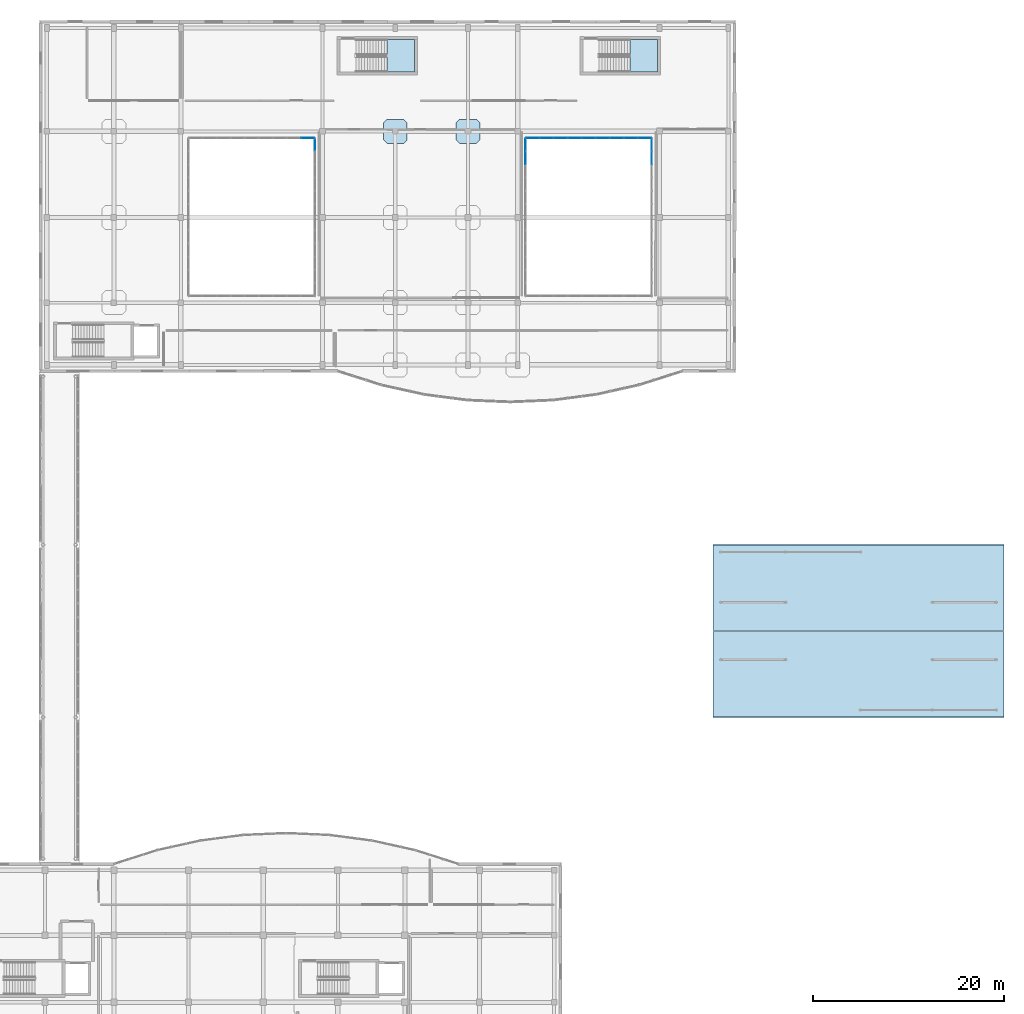
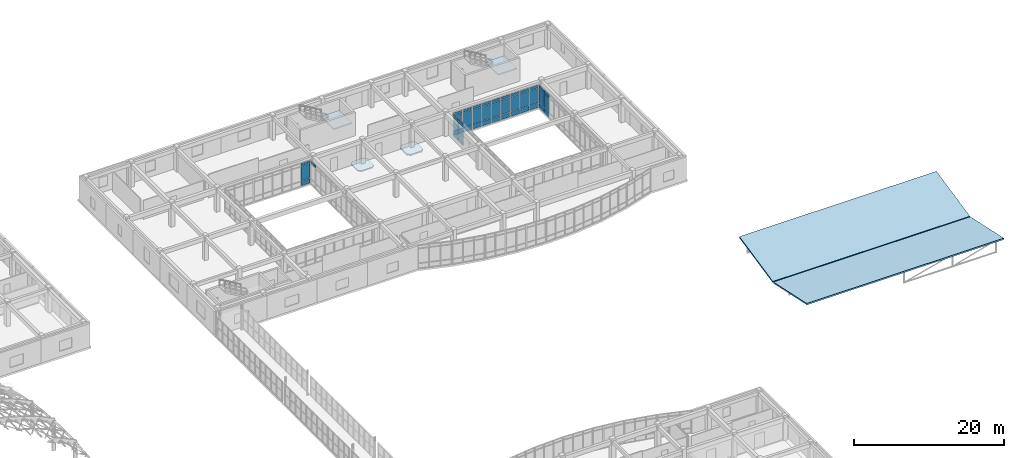
# One storey, part 121 of 146: 43 plates, 6 slabs, 9 elements without a shape of their own.
"""IFC4 building model written with IfcOpenShell, lengths in metres."""

from ifc_helpers import new_model, si_unit, direction, frame, origin, origin_2d, place, context, subcontext, project, spatial, polyline, rectangle, outline, extrude, material, layer, layer_set, type_object, element, aggregate, save


model = new_model("IFC4")

# Units and contexts
model_context = context("Model", 3, precision=1e-05, world=origin(), true_north=direction((0.0, 1.0)))
body_context = subcontext(model_context, "Body", "Model", "MODEL_VIEW")
ifc_project = project(units=[si_unit("LENGTHUNIT", "METRE"), si_unit("AREAUNIT", "SQUARE_METRE"), si_unit("VOLUMEUNIT", "CUBIC_METRE"), si_unit("PLANEANGLEUNIT", "RADIAN"), si_unit("MASSUNIT", "GRAM", prefix="KILO")], contexts=[model_context])

# Site, building, storey
site_placement = place(None, origin())
site = spatial("IfcSite", under=ifc_project, at=site_placement, CompositionType="ELEMENT")
building_placement = place(site_placement, origin())
building = spatial("IfcBuilding", under=site, at=building_placement, Name="Valcora Specialist Clinic", CompositionType="ELEMENT")
storey_placement = place(building_placement, frame((0.0, 0.0, 9.52001953125)))
storey = spatial("IfcBuildingStorey", under=building, at=storey_placement, Name="L02", CompositionType="ELEMENT", Elevation=9.52001953125)

# Curtain wall, plate
ifc_material_1 = material(Name="Anodized Bronze Aluminium 6063-T6", Category="aluminium")
ifc_layer_1 = layer(ifc_material_1, 0.175048828125)
ifc_layer_set_1 = layer_set([ifc_layer_1], Name="Anodized Bronze Aluminium 6063-T6")
curtain_wall_type = type_object("IfcCurtainWallType", Name="TY-CW-CRT15", PredefinedType="NOTDEFINED", material=ifc_layer_set_1)
curtain_wall_1_placement = place(storey_placement, origin())
curtain_wall_1 = element("IfcCurtainWall", 1, at=curtain_wall_1_placement, inside=storey, type_object=curtain_wall_type, Name="Curtain wall CW-L02-098", PredefinedType="NOTDEFINED")
ifc_material_2 = material(Name="Low-E Laminated Insulating Glass", Category="glass")
ifc_layer_2 = layer(ifc_material_2, 0.028076171875)
ifc_layer_set_2 = layer_set([ifc_layer_2], Name="Low-E Laminated Insulating Glass")
plate_type_1 = type_object("IfcPlateType", Name="TY-CWP-GLZ28", PredefinedType="CURTAIN_PANEL", material=ifc_layer_set_2)
plate_1_placement = place(storey_placement, frame((90.0, 97.796142578125, 3.302734375), z_axis=(0.0, 0.0, 1.0), x_axis=(0.0, 1.0, 0.0)))
plate_1 = element("IfcPlate", 2, at=plate_1_placement, type_object=plate_type_1, Name="CW-CRT-15 panel 4.3", PredefinedType="CURTAIN_PANEL", context=body_context, shape_type="SweptSolid", body=[
    extrude(rectangle(XDim=1.277587890625, YDim=0.028076171875, at=origin_2d()), origin(), (0.0, 0.0, 1.0), 0.452392578125),
])
aggregate(curtain_wall_1, [plate_1])

# Curtain wall, plates
curtain_wall_2_placement = place(storey_placement, origin())
curtain_wall_2 = element("IfcCurtainWall", 3, at=curtain_wall_2_placement, inside=storey, type_object=curtain_wall_type, Name="Curtain wall CW-L02-110", PredefinedType="NOTDEFINED")
plate_2_placement = place(storey_placement, frame((125.199951171875, 96.4375, 0.882568359375), z_axis=(0.0, 0.0, 1.0), x_axis=(0.0, 1.0, 0.0)))
plate_2 = element("IfcPlate", 4, at=plate_2_placement, type_object=plate_type_1, Name="CW-CRT-15 panel 3.2", PredefinedType="CURTAIN_PANEL", context=body_context, shape_type="SweptSolid", body=[
    extrude(rectangle(XDim=1.31005859375, YDim=0.028076171875, at=origin_2d()), origin(), (0.0, 0.0, 1.0), 2.35498046875),
])
plate_3_placement = place(storey_placement, frame((125.199951171875, 96.4375, 3.302734375), z_axis=(0.0, 0.0, 1.0), x_axis=(0.0, 1.0, 0.0)))
plate_3 = element("IfcPlate", 5, at=plate_3_placement, type_object=plate_type_1, Name="CW-CRT-15 panel 3.3", PredefinedType="CURTAIN_PANEL", context=body_context, shape_type="SweptSolid", body=[
    extrude(rectangle(XDim=1.31005859375, YDim=0.028076171875, at=origin_2d()), origin(), (0.0, 0.0, 1.0), 0.452392578125),
])
plate_4_placement = place(storey_placement, frame((125.199951171875, 97.796142578125, 0.882568359375), z_axis=(0.0, 0.0, 1.0), x_axis=(0.0, 1.0, 0.0)))
plate_4 = element("IfcPlate", 6, at=plate_4_placement, type_object=plate_type_1, Name="CW-CRT-15 panel 4.2", PredefinedType="CURTAIN_PANEL", context=body_context, shape_type="SweptSolid", body=[
    extrude(rectangle(XDim=1.277587890625, YDim=0.028076171875, at=origin_2d()), origin(), (0.0, 0.0, 1.0), 2.35498046875),
])
plate_5_placement = place(storey_placement, frame((125.199951171875, 97.796142578125, 3.302734375), z_axis=(0.0, 0.0, 1.0), x_axis=(0.0, 1.0, 0.0)))
plate_5 = element("IfcPlate", 7, at=plate_5_placement, type_object=plate_type_1, Name="CW-CRT-15 panel 4.3", PredefinedType="CURTAIN_PANEL", context=body_context, shape_type="SweptSolid", body=[
    extrude(rectangle(XDim=1.277587890625, YDim=0.028076171875, at=origin_2d()), origin(), (0.0, 0.0, 1.0), 0.452392578125),
])

curtain_wall_3_placement = place(storey_placement, origin())
curtain_wall_3 = element("IfcCurtainWall", 8, at=curtain_wall_3_placement, inside=storey, type_object=curtain_wall_type, Name="Curtain wall CW-L02-112", PredefinedType="NOTDEFINED")
plate_6_placement = place(storey_placement, frame((120.050537109375, 98.5, 0.882568359375), z_axis=(0.0, 0.0, 1.0), x_axis=(-1.0, 0.0, 0.0)))
plate_6 = element("IfcPlate", 9, at=plate_6_placement, type_object=plate_type_1, Name="CW-CRT-15 panel 1.2", PredefinedType="CURTAIN_PANEL", context=body_context, shape_type="SweptSolid", body=[
    extrude(rectangle(XDim=1.369140625, YDim=0.028076171875, at=origin_2d()), origin(), (0.0, 0.0, 1.0), 2.35498046875),
])
plate_7_placement = place(storey_placement, frame((120.050537109375, 98.5, 3.302734375), z_axis=(0.0, 0.0, 1.0), x_axis=(-1.0, 0.0, 0.0)))
plate_7 = element("IfcPlate", 10, at=plate_7_placement, type_object=plate_type_1, Name="CW-CRT-15 panel 1.3", PredefinedType="CURTAIN_PANEL", context=body_context, shape_type="SweptSolid", body=[
    extrude(rectangle(XDim=1.369140625, YDim=0.028076171875, at=origin_2d()), origin(), (0.0, 0.0, 1.0), 0.452392578125),
])
plate_8_placement = place(storey_placement, frame((118.60009765625, 98.5, 0.882568359375), z_axis=(0.0, 0.0, 1.0), x_axis=(-1.0, 0.0, 0.0)))
plate_8 = element("IfcPlate", 11, at=plate_8_placement, type_object=plate_type_1, Name="CW-CRT-15 panel 2.2", PredefinedType="CURTAIN_PANEL", context=body_context, shape_type="SweptSolid", body=[
    extrude(rectangle(XDim=1.401611328125, YDim=0.028076171875, at=origin_2d()), origin(), (0.0, 0.0, 1.0), 2.35498046875),
])
plate_9_placement = place(storey_placement, frame((118.60009765625, 98.5, 3.302734375), z_axis=(0.0, 0.0, 1.0), x_axis=(-1.0, 0.0, 0.0)))
plate_9 = element("IfcPlate", 12, at=plate_9_placement, type_object=plate_type_1, Name="CW-CRT-15 panel 2.3", PredefinedType="CURTAIN_PANEL", context=body_context, shape_type="SweptSolid", body=[
    extrude(rectangle(XDim=1.401611328125, YDim=0.028076171875, at=origin_2d()), origin(), (0.0, 0.0, 1.0), 0.452392578125),
])
plate_10_placement = place(storey_placement, frame((117.149658203125, 98.5, 0.882568359375), z_axis=(0.0, 0.0, 1.0), x_axis=(-1.0, 0.0, 0.0)))
plate_10 = element("IfcPlate", 13, at=plate_10_placement, type_object=plate_type_1, Name="CW-CRT-15 panel 3.2", PredefinedType="CURTAIN_PANEL", context=body_context, shape_type="SweptSolid", body=[
    extrude(rectangle(XDim=1.369140625, YDim=0.028076171875, at=origin_2d()), origin(), (0.0, 0.0, 1.0), 2.35498046875),
])
plate_11_placement = place(storey_placement, frame((117.149658203125, 98.5, 3.302734375), z_axis=(0.0, 0.0, 1.0), x_axis=(-1.0, 0.0, 0.0)))
plate_11 = element("IfcPlate", 14, at=plate_11_placement, type_object=plate_type_1, Name="CW-CRT-15 panel 3.3", PredefinedType="CURTAIN_PANEL", context=body_context, shape_type="SweptSolid", body=[
    extrude(rectangle(XDim=1.369140625, YDim=0.028076171875, at=origin_2d()), origin(), (0.0, 0.0, 1.0), 0.452392578125),
])

curtain_wall_4_placement = place(storey_placement, origin())
curtain_wall_4 = element("IfcCurtainWall", 15, at=curtain_wall_4_placement, inside=storey, type_object=curtain_wall_type, Name="Curtain wall CW-L02-114", PredefinedType="NOTDEFINED")
plate_12_placement = place(storey_placement, frame((112.0, 97.796142578125, 0.882568359375), z_axis=(0.0, 0.0, 1.0), x_axis=(0.0, -1.0, 0.0)))
plate_12 = element("IfcPlate", 16, at=plate_12_placement, type_object=plate_type_1, Name="CW-CRT-15 panel 1.2", PredefinedType="CURTAIN_PANEL", context=body_context, shape_type="SweptSolid", body=[
    extrude(rectangle(XDim=1.277587890625, YDim=0.028076171875, at=origin_2d()), origin(), (0.0, 0.0, 1.0), 2.35498046875),
])
plate_13_placement = place(storey_placement, frame((112.0, 97.796142578125, 3.302734375), z_axis=(0.0, 0.0, 1.0), x_axis=(0.0, -1.0, 0.0)))
plate_13 = element("IfcPlate", 17, at=plate_13_placement, type_object=plate_type_1, Name="CW-CRT-15 panel 1.3", PredefinedType="CURTAIN_PANEL", context=body_context, shape_type="SweptSolid", body=[
    extrude(rectangle(XDim=1.277587890625, YDim=0.028076171875, at=origin_2d()), origin(), (0.0, 0.0, 1.0), 0.452392578125),
])
plate_14_placement = place(storey_placement, frame((112.0, 96.4375, 0.882568359375), z_axis=(0.0, 0.0, 1.0), x_axis=(0.0, -1.0, 0.0)))
plate_14 = element("IfcPlate", 18, at=plate_14_placement, type_object=plate_type_1, Name="CW-CRT-15 panel 2.2", PredefinedType="CURTAIN_PANEL", context=body_context, shape_type="SweptSolid", body=[
    extrude(rectangle(XDim=1.31005859375, YDim=0.028076171875, at=origin_2d()), origin(), (0.0, 0.0, 1.0), 2.35498046875),
])
plate_15_placement = place(storey_placement, frame((112.0, 96.4375, 3.302734375), z_axis=(0.0, 0.0, 1.0), x_axis=(0.0, -1.0, 0.0)))
plate_15 = element("IfcPlate", 19, at=plate_15_placement, type_object=plate_type_1, Name="CW-CRT-15 panel 2.3", PredefinedType="CURTAIN_PANEL", context=body_context, shape_type="SweptSolid", body=[
    extrude(rectangle(XDim=1.31005859375, YDim=0.028076171875, at=origin_2d()), origin(), (0.0, 0.0, 1.0), 0.452392578125),
])

curtain_wall_5_placement = place(storey_placement, origin())
curtain_wall_5 = element("IfcCurtainWall", 20, at=curtain_wall_5_placement, inside=storey, type_object=curtain_wall_type, Name="Curtain wall CW-L02-099", PredefinedType="NOTDEFINED")
ifc_layer_3 = layer(ifc_material_2, 0.033935546875)
ifc_layer_set_3 = layer_set([ifc_layer_3], Name="Low-E Laminated Insulating Glass")
plate_type_2 = type_object("IfcPlateType", Name="TY-CWP-GLZ34", PredefinedType="CURTAIN_PANEL", material=ifc_layer_set_3)
plate_16_placement = place(storey_placement, frame((89.25048828125, 98.5, 0.882568359375), z_axis=(0.0, 0.0, 1.0), x_axis=(-1.0, 0.0, 0.0)))
plate_16 = element("IfcPlate", 21, at=plate_16_placement, type_object=plate_type_2, Name="CW-CRT-15 panel 1.2", PredefinedType="CURTAIN_PANEL", context=body_context, shape_type="SweptSolid", body=[
    extrude(rectangle(XDim=1.369140625, YDim=0.033935546875, at=origin_2d()), origin(), (0.0, 0.0, 1.0), 2.35498046875),
])
plate_17_placement = place(storey_placement, frame((89.25048828125, 98.5, 3.302734375), z_axis=(0.0, 0.0, 1.0), x_axis=(-1.0, 0.0, 0.0)))
plate_17 = element("IfcPlate", 22, at=plate_17_placement, type_object=plate_type_2, Name="CW-CRT-15 panel 1.3", PredefinedType="CURTAIN_PANEL", context=body_context, shape_type="SweptSolid", body=[
    extrude(rectangle(XDim=1.369140625, YDim=0.033935546875, at=origin_2d()), origin(), (0.0, 0.0, 1.0), 0.452392578125),
])

curtain_wall_6_placement = place(storey_placement, origin())
curtain_wall_6 = element("IfcCurtainWall", 23, at=curtain_wall_6_placement, inside=storey, type_object=curtain_wall_type, Name="Curtain wall CW-L02-111", PredefinedType="NOTDEFINED")
plate_18_placement = place(storey_placement, frame((124.450439453125, 98.5, 0.882568359375), z_axis=(0.0, 0.0, 1.0), x_axis=(-1.0, 0.0, 0.0)))
plate_18 = element("IfcPlate", 24, at=plate_18_placement, type_object=plate_type_2, Name="CW-CRT-15 panel 1.2", PredefinedType="CURTAIN_PANEL", context=body_context, shape_type="SweptSolid", body=[
    extrude(rectangle(XDim=1.369140625, YDim=0.033935546875, at=origin_2d()), origin(), (0.0, 0.0, 1.0), 2.35498046875),
])
plate_19_placement = place(storey_placement, frame((124.450439453125, 98.5, 3.302734375), z_axis=(0.0, 0.0, 1.0), x_axis=(-1.0, 0.0, 0.0)))
plate_19 = element("IfcPlate", 25, at=plate_19_placement, type_object=plate_type_2, Name="CW-CRT-15 panel 1.3", PredefinedType="CURTAIN_PANEL", context=body_context, shape_type="SweptSolid", body=[
    extrude(rectangle(XDim=1.369140625, YDim=0.033935546875, at=origin_2d()), origin(), (0.0, 0.0, 1.0), 0.452392578125),
])
plate_20_placement = place(storey_placement, frame((123.0, 98.5, 0.882568359375), z_axis=(0.0, 0.0, 1.0), x_axis=(-1.0, 0.0, 0.0)))
plate_20 = element("IfcPlate", 26, at=plate_20_placement, type_object=plate_type_2, Name="CW-CRT-15 panel 2.2", PredefinedType="CURTAIN_PANEL", context=body_context, shape_type="SweptSolid", body=[
    extrude(rectangle(XDim=1.401611328125, YDim=0.033935546875, at=origin_2d()), origin(), (0.0, 0.0, 1.0), 2.35498046875),
])
plate_21_placement = place(storey_placement, frame((123.0, 98.5, 3.302734375), z_axis=(0.0, 0.0, 1.0), x_axis=(-1.0, 0.0, 0.0)))
plate_21 = element("IfcPlate", 27, at=plate_21_placement, type_object=plate_type_2, Name="CW-CRT-15 panel 2.3", PredefinedType="CURTAIN_PANEL", context=body_context, shape_type="SweptSolid", body=[
    extrude(rectangle(XDim=1.401611328125, YDim=0.033935546875, at=origin_2d()), origin(), (0.0, 0.0, 1.0), 0.452392578125),
])
plate_22_placement = place(storey_placement, frame((121.549560546875, 98.5, 0.882568359375), z_axis=(0.0, 0.0, 1.0), x_axis=(-1.0, 0.0, 0.0)))
plate_22 = element("IfcPlate", 28, at=plate_22_placement, type_object=plate_type_2, Name="CW-CRT-15 panel 3.2", PredefinedType="CURTAIN_PANEL", context=body_context, shape_type="SweptSolid", body=[
    extrude(rectangle(XDim=1.369140625, YDim=0.033935546875, at=origin_2d()), origin(), (0.0, 0.0, 1.0), 2.35498046875),
])
plate_23_placement = place(storey_placement, frame((121.549560546875, 98.5, 3.302734375), z_axis=(0.0, 0.0, 1.0), x_axis=(-1.0, 0.0, 0.0)))
plate_23 = element("IfcPlate", 29, at=plate_23_placement, type_object=plate_type_2, Name="CW-CRT-15 panel 3.3", PredefinedType="CURTAIN_PANEL", context=body_context, shape_type="SweptSolid", body=[
    extrude(rectangle(XDim=1.369140625, YDim=0.033935546875, at=origin_2d()), origin(), (0.0, 0.0, 1.0), 0.452392578125),
])

curtain_wall_7_placement = place(storey_placement, origin())
curtain_wall_7 = element("IfcCurtainWall", 30, at=curtain_wall_7_placement, inside=storey, type_object=curtain_wall_type, Name="Curtain wall CW-L02-113", PredefinedType="NOTDEFINED")
plate_24_placement = place(storey_placement, frame((115.650390625, 98.5, 0.882568359375), z_axis=(0.0, 0.0, 1.0), x_axis=(-1.0, 0.0, 0.0)))
plate_24 = element("IfcPlate", 31, at=plate_24_placement, type_object=plate_type_2, Name="CW-CRT-15 panel 1.2", PredefinedType="CURTAIN_PANEL", context=body_context, shape_type="SweptSolid", body=[
    extrude(rectangle(XDim=1.369140625, YDim=0.033935546875, at=origin_2d()), origin(), (0.0, 0.0, 1.0), 2.35498046875),
])
plate_25_placement = place(storey_placement, frame((115.650390625, 98.5, 3.302734375), z_axis=(0.0, 0.0, 1.0), x_axis=(-1.0, 0.0, 0.0)))
plate_25 = element("IfcPlate", 32, at=plate_25_placement, type_object=plate_type_2, Name="CW-CRT-15 panel 1.3", PredefinedType="CURTAIN_PANEL", context=body_context, shape_type="SweptSolid", body=[
    extrude(rectangle(XDim=1.369140625, YDim=0.033935546875, at=origin_2d()), origin(), (0.0, 0.0, 1.0), 0.452392578125),
])
plate_26_placement = place(storey_placement, frame((114.199951171875, 98.5, 0.882568359375), z_axis=(0.0, 0.0, 1.0), x_axis=(-1.0, 0.0, 0.0)))
plate_26 = element("IfcPlate", 33, at=plate_26_placement, type_object=plate_type_2, Name="CW-CRT-15 panel 2.2", PredefinedType="CURTAIN_PANEL", context=body_context, shape_type="SweptSolid", body=[
    extrude(rectangle(XDim=1.401611328125, YDim=0.033935546875, at=origin_2d()), origin(), (0.0, 0.0, 1.0), 2.35498046875),
])
plate_27_placement = place(storey_placement, frame((114.199951171875, 98.5, 3.302734375), z_axis=(0.0, 0.0, 1.0), x_axis=(-1.0, 0.0, 0.0)))
plate_27 = element("IfcPlate", 34, at=plate_27_placement, type_object=plate_type_2, Name="CW-CRT-15 panel 2.3", PredefinedType="CURTAIN_PANEL", context=body_context, shape_type="SweptSolid", body=[
    extrude(rectangle(XDim=1.401611328125, YDim=0.033935546875, at=origin_2d()), origin(), (0.0, 0.0, 1.0), 0.452392578125),
])
plate_28_placement = place(storey_placement, frame((112.74951171875, 98.5, 0.882568359375), z_axis=(0.0, 0.0, 1.0), x_axis=(-1.0, 0.0, 0.0)))
plate_28 = element("IfcPlate", 35, at=plate_28_placement, type_object=plate_type_2, Name="CW-CRT-15 panel 3.2", PredefinedType="CURTAIN_PANEL", context=body_context, shape_type="SweptSolid", body=[
    extrude(rectangle(XDim=1.369140625, YDim=0.033935546875, at=origin_2d()), origin(), (0.0, 0.0, 1.0), 2.35498046875),
])
plate_29_placement = place(storey_placement, frame((112.74951171875, 98.5, 3.302734375), z_axis=(0.0, 0.0, 1.0), x_axis=(-1.0, 0.0, 0.0)))
plate_29 = element("IfcPlate", 36, at=plate_29_placement, type_object=plate_type_2, Name="CW-CRT-15 panel 3.3", PredefinedType="CURTAIN_PANEL", context=body_context, shape_type="SweptSolid", body=[
    extrude(rectangle(XDim=1.369140625, YDim=0.033935546875, at=origin_2d()), origin(), (0.0, 0.0, 1.0), 0.452392578125),
])

# Plate
ifc_material_3 = material(Name="Insulated Spandrel Panel")
ifc_layer_4 = layer(ifc_material_3, 0.044921875)
ifc_layer_set_4 = layer_set([ifc_layer_4], Name="Insulated Spandrel Panel")
plate_type_3 = type_object("IfcPlateType", Name="TY-CWP-SPN45", PredefinedType="SHEET", material=ifc_layer_set_4)
plate_30_placement = place(storey_placement, frame((89.25048828125, 98.5, 0.06494140625), z_axis=(0.0, 0.0, 1.0), x_axis=(-1.0, 0.0, 0.0)))
plate_30 = element("IfcPlate", 37, at=plate_30_placement, type_object=plate_type_3, Name="CW-CRT-15 panel 1.1", PredefinedType="SHEET", context=body_context, shape_type="SweptSolid", body=[
    extrude(rectangle(XDim=1.369140625, YDim=0.044921875, at=origin_2d()), origin(), (0.0, 0.0, 1.0), 0.75244140625),
])

aggregate(curtain_wall_5, [plate_30, plate_16, plate_17])

plate_31_placement = place(storey_placement, frame((125.199951171875, 96.4375, 0.06494140625), z_axis=(0.0, 0.0, 1.0), x_axis=(0.0, 1.0, 0.0)))
plate_31 = element("IfcPlate", 38, at=plate_31_placement, type_object=plate_type_3, Name="CW-CRT-15 panel 3.1", PredefinedType="SHEET", context=body_context, shape_type="SweptSolid", body=[
    extrude(rectangle(XDim=1.31005859375, YDim=0.044921875, at=origin_2d()), origin(), (0.0, 0.0, 1.0), 0.75244140625),
])

plate_32_placement = place(storey_placement, frame((125.199951171875, 97.796142578125, 0.06494140625), z_axis=(0.0, 0.0, 1.0), x_axis=(0.0, 1.0, 0.0)))
plate_32 = element("IfcPlate", 39, at=plate_32_placement, type_object=plate_type_3, Name="CW-CRT-15 panel 4.1", PredefinedType="SHEET", context=body_context, shape_type="SweptSolid", body=[
    extrude(rectangle(XDim=1.277587890625, YDim=0.044921875, at=origin_2d()), origin(), (0.0, 0.0, 1.0), 0.75244140625),
])

aggregate(curtain_wall_2, [plate_31, plate_2, plate_3, plate_32, plate_4, plate_5])

plate_33_placement = place(storey_placement, frame((124.450439453125, 98.5, 0.06494140625), z_axis=(0.0, 0.0, 1.0), x_axis=(-1.0, 0.0, 0.0)))
plate_33 = element("IfcPlate", 40, at=plate_33_placement, type_object=plate_type_3, Name="CW-CRT-15 panel 1.1", PredefinedType="SHEET", context=body_context, shape_type="SweptSolid", body=[
    extrude(rectangle(XDim=1.369140625, YDim=0.044921875, at=origin_2d()), origin(), (0.0, 0.0, 1.0), 0.75244140625),
])

plate_34_placement = place(storey_placement, frame((123.0, 98.5, 0.06494140625), z_axis=(0.0, 0.0, 1.0), x_axis=(-1.0, 0.0, 0.0)))
plate_34 = element("IfcPlate", 41, at=plate_34_placement, type_object=plate_type_3, Name="CW-CRT-15 panel 2.1", PredefinedType="SHEET", context=body_context, shape_type="SweptSolid", body=[
    extrude(rectangle(XDim=1.401611328125, YDim=0.044921875, at=origin_2d()), origin(), (0.0, 0.0, 1.0), 0.75244140625),
])

plate_35_placement = place(storey_placement, frame((121.549560546875, 98.5, 0.06494140625), z_axis=(0.0, 0.0, 1.0), x_axis=(-1.0, 0.0, 0.0)))
plate_35 = element("IfcPlate", 42, at=plate_35_placement, type_object=plate_type_3, Name="CW-CRT-15 panel 3.1", PredefinedType="SHEET", context=body_context, shape_type="SweptSolid", body=[
    extrude(rectangle(XDim=1.369140625, YDim=0.044921875, at=origin_2d()), origin(), (0.0, 0.0, 1.0), 0.75244140625),
])

aggregate(curtain_wall_6, [plate_33, plate_18, plate_19, plate_34, plate_20, plate_21, plate_35, plate_22, plate_23])

plate_36_placement = place(storey_placement, frame((120.050537109375, 98.5, 0.06494140625), z_axis=(0.0, 0.0, 1.0), x_axis=(-1.0, 0.0, 0.0)))
plate_36 = element("IfcPlate", 43, at=plate_36_placement, type_object=plate_type_3, Name="CW-CRT-15 panel 1.1", PredefinedType="SHEET", context=body_context, shape_type="SweptSolid", body=[
    extrude(rectangle(XDim=1.369140625, YDim=0.044921875, at=origin_2d()), origin(), (0.0, 0.0, 1.0), 0.75244140625),
])

plate_37_placement = place(storey_placement, frame((118.60009765625, 98.5, 0.06494140625), z_axis=(0.0, 0.0, 1.0), x_axis=(-1.0, 0.0, 0.0)))
plate_37 = element("IfcPlate", 44, at=plate_37_placement, type_object=plate_type_3, Name="CW-CRT-15 panel 2.1", PredefinedType="SHEET", context=body_context, shape_type="SweptSolid", body=[
    extrude(rectangle(XDim=1.401611328125, YDim=0.044921875, at=origin_2d()), origin(), (0.0, 0.0, 1.0), 0.75244140625),
])

plate_38_placement = place(storey_placement, frame((117.149658203125, 98.5, 0.06494140625), z_axis=(0.0, 0.0, 1.0), x_axis=(-1.0, 0.0, 0.0)))
plate_38 = element("IfcPlate", 45, at=plate_38_placement, type_object=plate_type_3, Name="CW-CRT-15 panel 3.1", PredefinedType="SHEET", context=body_context, shape_type="SweptSolid", body=[
    extrude(rectangle(XDim=1.369140625, YDim=0.044921875, at=origin_2d()), origin(), (0.0, 0.0, 1.0), 0.75244140625),
])

aggregate(curtain_wall_3, [plate_36, plate_6, plate_7, plate_37, plate_8, plate_9, plate_38, plate_10, plate_11])

plate_39_placement = place(storey_placement, frame((115.650390625, 98.5, 0.06494140625), z_axis=(0.0, 0.0, 1.0), x_axis=(-1.0, 0.0, 0.0)))
plate_39 = element("IfcPlate", 46, at=plate_39_placement, type_object=plate_type_3, Name="CW-CRT-15 panel 1.1", PredefinedType="SHEET", context=body_context, shape_type="SweptSolid", body=[
    extrude(rectangle(XDim=1.369140625, YDim=0.044921875, at=origin_2d()), origin(), (0.0, 0.0, 1.0), 0.75244140625),
])

plate_40_placement = place(storey_placement, frame((114.199951171875, 98.5, 0.06494140625), z_axis=(0.0, 0.0, 1.0), x_axis=(-1.0, 0.0, 0.0)))
plate_40 = element("IfcPlate", 47, at=plate_40_placement, type_object=plate_type_3, Name="CW-CRT-15 panel 2.1", PredefinedType="SHEET", context=body_context, shape_type="SweptSolid", body=[
    extrude(rectangle(XDim=1.401611328125, YDim=0.044921875, at=origin_2d()), origin(), (0.0, 0.0, 1.0), 0.75244140625),
])

plate_41_placement = place(storey_placement, frame((112.74951171875, 98.5, 0.06494140625), z_axis=(0.0, 0.0, 1.0), x_axis=(-1.0, 0.0, 0.0)))
plate_41 = element("IfcPlate", 48, at=plate_41_placement, type_object=plate_type_3, Name="CW-CRT-15 panel 3.1", PredefinedType="SHEET", context=body_context, shape_type="SweptSolid", body=[
    extrude(rectangle(XDim=1.369140625, YDim=0.044921875, at=origin_2d()), origin(), (0.0, 0.0, 1.0), 0.75244140625),
])

aggregate(curtain_wall_7, [plate_39, plate_24, plate_25, plate_40, plate_26, plate_27, plate_41, plate_28, plate_29])

plate_42_placement = place(storey_placement, frame((112.0, 97.796142578125, 0.06494140625), z_axis=(0.0, 0.0, 1.0), x_axis=(0.0, -1.0, 0.0)))
plate_42 = element("IfcPlate", 49, at=plate_42_placement, type_object=plate_type_3, Name="CW-CRT-15 panel 1.1", PredefinedType="SHEET", context=body_context, shape_type="SweptSolid", body=[
    extrude(rectangle(XDim=1.277587890625, YDim=0.044921875, at=origin_2d()), origin(), (0.0, 0.0, 1.0), 0.75244140625),
])

plate_43_placement = place(storey_placement, frame((112.0, 96.4375, 0.06494140625), z_axis=(0.0, 0.0, 1.0), x_axis=(0.0, -1.0, 0.0)))
plate_43 = element("IfcPlate", 50, at=plate_43_placement, type_object=plate_type_3, Name="CW-CRT-15 panel 2.1", PredefinedType="SHEET", context=body_context, shape_type="SweptSolid", body=[
    extrude(rectangle(XDim=1.31005859375, YDim=0.044921875, at=origin_2d()), origin(), (0.0, 0.0, 1.0), 0.75244140625),
])

aggregate(curtain_wall_4, [plate_42, plate_12, plate_13, plate_43, plate_14, plate_15])

# Slabs
ifc_material_4 = material(Name="Concrete C40/50", Category="concrete")
ifc_layer_5 = layer(ifc_material_4, 0.18994140625)
ifc_layer_set_5 = layer_set([ifc_layer_5], Name="Concrete C40/50")
slab_type_1 = type_object("IfcSlabType", Name="TY-SL-DP190", PredefinedType="FLOOR", material=ifc_layer_set_5)
slab_1_placement = place(storey_placement, frame((0.0, 0.0, -0.465087890625)))
element("IfcSlab", 51, at=slab_1_placement, inside=storey, type_object=slab_type_1, Name="V4 column drop panel SL-L02-054", PredefinedType="FLOOR", context=body_context, shape_type="SweptSolid", body=[
    extrude(outline(polyline([(97.52001953125, 97.949951171875), (99.280029296875, 97.949951171875), (99.64990234375, 98.320068359375), (99.64990234375, 100.080078125), (99.280029296875, 100.449951171875), (97.52001953125, 100.449951171875), (97.14990234375, 100.080078125), (97.14990234375, 98.320068359375), (97.52001953125, 97.949951171875)])), origin(), (0.0, 0.0, 1.0), 0.190185546875),
])
ifc_layer_6 = layer(ifc_material_4, 0.235107421875)
ifc_layer_set_6 = layer_set([ifc_layer_6], Name="Concrete C40/50")
slab_type_2 = type_object("IfcSlabType", Name="TY-SL-DP235", PredefinedType="FLOOR", material=ifc_layer_set_6)
slab_2_placement = place(storey_placement, frame((0.0, 0.0, -0.510009765625)))
element("IfcSlab", 52, at=slab_2_placement, inside=storey, type_object=slab_type_2, Name="V4 column drop panel SL-L02-058", PredefinedType="FLOOR", context=body_context, shape_type="SweptSolid", body=[
    extrude(outline(polyline([(105.1201171875, 97.949951171875), (106.8798828125, 97.949951171875), (107.25, 98.320068359375), (107.25, 100.080078125), (106.8798828125, 100.449951171875), (105.1201171875, 100.449951171875), (104.75, 100.080078125), (104.75, 98.320068359375), (105.1201171875, 97.949951171875)])), origin(), (0.0, 0.0, 1.0), 0.235107421875),
])

# Stair, slab
stair_type = type_object("IfcStairType", Name="TY-ST-DG408", PredefinedType="HALF_TURN_STAIR", material=ifc_material_4)
stair_1_placement = place(storey_placement, origin())
stair_1 = element("IfcStair", 53, at=stair_1_placement, inside=storey, type_object=stair_type, Name="L02 Core C-V4B stair ST-V4B", PredefinedType="HALF_TURN_STAIR")
ifc_layer_7 = layer(ifc_material_4, 0.199951171875)
ifc_layer_set_7 = layer_set([ifc_layer_7], Name="Concrete C40/50")
slab_type_3 = type_object("IfcSlabType", Name="TY-SL-LND200", PredefinedType="LANDING", material=ifc_layer_set_7)
slab_3_placement = place(storey_placement, frame((0.0, 0.0, 1.840087890625)))
slab_3 = element("IfcSlab", 54, at=slab_3_placement, type_object=slab_type_3, Name="ST-V4B landing 1", PredefinedType="LANDING", context=body_context, shape_type="SweptSolid", body=[
    extrude(outline(polyline([(97.544921875, 105.39990234375), (100.39990234375, 105.39990234375), (100.39990234375, 108.800048828125), (97.544921875, 108.800048828125), (97.544921875, 105.39990234375)])), origin(), (0.0, 0.0, 1.0), 0.199951171875),
])
aggregate(stair_1, [slab_3])

stair_2_placement = place(storey_placement, origin())
stair_2 = element("IfcStair", 55, at=stair_2_placement, inside=storey, type_object=stair_type, Name="L02 Core C-V4C stair ST-V4C", PredefinedType="HALF_TURN_STAIR")
slab_4_placement = place(storey_placement, frame((0.0, 0.0, 1.840087890625)))
slab_4 = element("IfcSlab", 56, at=slab_4_placement, type_object=slab_type_3, Name="ST-V4C landing 1", PredefinedType="LANDING", context=body_context, shape_type="SweptSolid", body=[
    extrude(outline(polyline([(122.945068359375, 105.39990234375), (125.800048828125, 105.39990234375), (125.800048828125, 108.800048828125), (122.945068359375, 108.800048828125), (122.945068359375, 105.39990234375)])), origin(), (0.0, 0.0, 1.0), 0.199951171875),
])
aggregate(stair_2, [slab_4])

# Slabs
ifc_layer_8 = layer(ifc_material_4, 0.2099609375)
ifc_layer_set_8 = layer_set([ifc_layer_8], Name="Concrete C40/50")
slab_type_4 = type_object("IfcSlabType", Name="TY-SL-RF210", PredefinedType="ROOF", material=ifc_layer_set_8)
for number, where, z_axis, x_axis, name in (
    (57, (131.60009765625, 38.0, 2.512939453125), (0.0, 0.209229988199, 0.977866459205), (1.0, 0.0, 0.0), "V3 butterfly roof leaf 1"),
    (58, (131.60009765625, 47.06005859375, 0.60009765625), (0.0, -0.209229988199, 0.977866459205), (1.0, 0.0, 0.0), "V3 butterfly roof leaf 2"),
):
    element("IfcSlab", number, at=place(storey_placement, frame(where, z_axis=z_axis, x_axis=x_axis)), inside=storey, type_object=slab_type_4, Name=name, PredefinedType="ROOF", context=body_context, shape_type="SweptSolid", body=[
        extrude(outline(polyline([(0.0, 0.0), (30.39990234375, 0.0), (30.39990234375, 9.142292715017126), (0.0, 9.142292715017126), (0.0, 0.0)])), origin(), (0.0, 0.0, -1.0), 0.2099609375),
    ])

save(model, "model.ifc")
